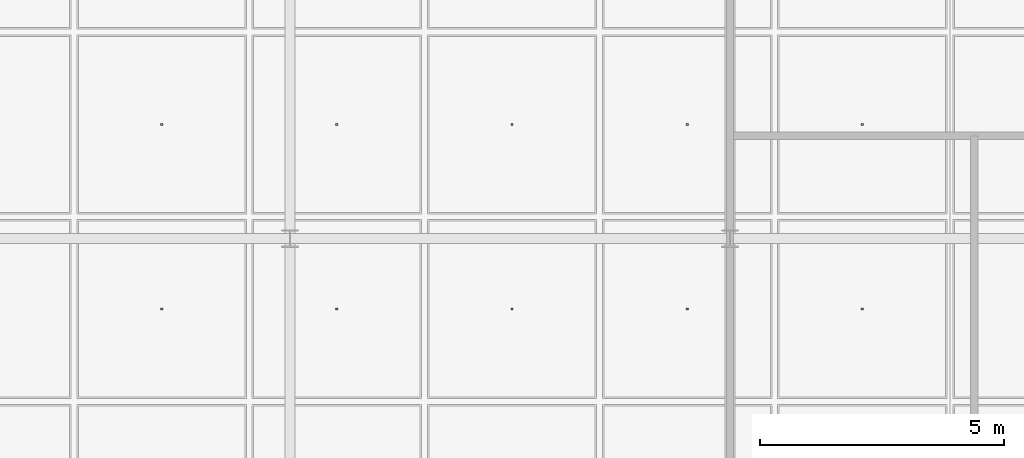
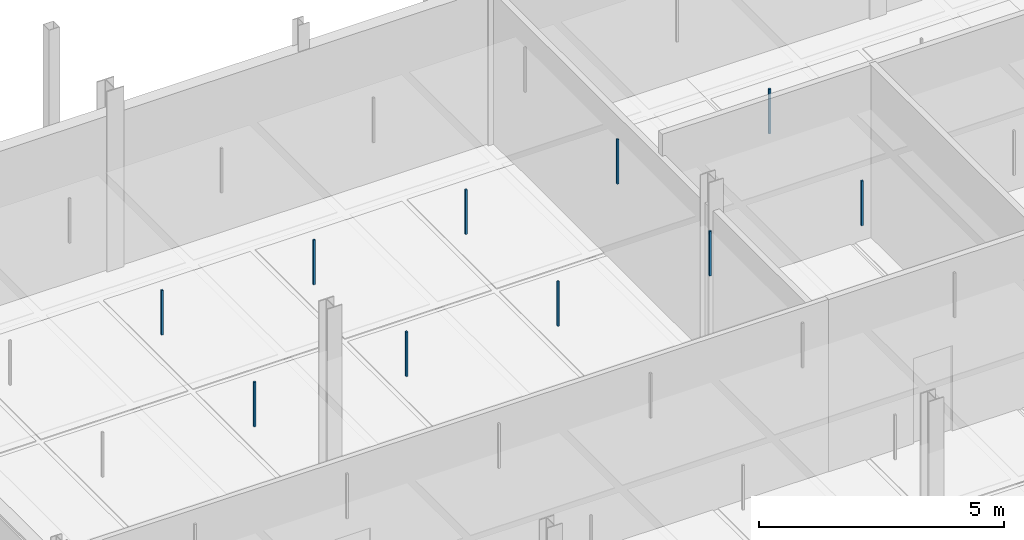
# One storey, part 86 of 130: 10 discrete accessories.
"""IFC4 building model written with IfcOpenShell, lengths in metres."""

from ifc_helpers import new_model, si_unit, direction, frame, origin, origin_2d, place, context, subcontext, project, spatial, rectangle, extrude, material, type_object, element, save


model = new_model("IFC4")

# Units and contexts
model_context = context("Model", 3, precision=1e-05, world=origin(), true_north=direction((0.0, 1.0)))
body_context = subcontext(model_context, "Body", "Model", "MODEL_VIEW")
ifc_project = project(units=[si_unit("LENGTHUNIT", "METRE"), si_unit("AREAUNIT", "SQUARE_METRE"), si_unit("VOLUMEUNIT", "CUBIC_METRE"), si_unit("PLANEANGLEUNIT", "RADIAN"), si_unit("MASSUNIT", "GRAM", prefix="KILO"), si_unit("THERMODYNAMICTEMPERATUREUNIT", "KELVIN"), si_unit("POWERUNIT", "WATT")], contexts=[model_context])

# Site, building, storey
site_placement = place(None, origin())
site = spatial("IfcSite", under=ifc_project, at=site_placement, CompositionType="ELEMENT")
building_placement = place(site_placement, origin())
building = spatial("IfcBuilding", under=site, at=building_placement, Name="Tallowbark Science Centre", CompositionType="ELEMENT")
storey_placement = place(building_placement, frame((0.0, 0.0, 5.39990234375)))
storey = spatial("IfcBuildingStorey", under=building, at=storey_placement, Name="L01", CompositionType="ELEMENT", Elevation=5.39990234375)

# Discrete accessories
ifc_material = material(Name="Galvanised Steel Grade C350L0 (350 MPa)", Category="steel")
discrete_accessory_type = type_object("IfcDiscreteAccessoryType", Name="ACC-CLG-HNG", PredefinedType="BRACKET", material=ifc_material)
for number, where, z_axis, x_axis, name in (
    (1, (64.875, 30.0556640625, 3.20947265625), (0.0, 0.0, 1.0), (1.0, 0.0, 0.0), "Ceiling Hanger Bracket L01-492"),
    (2, (64.875, 33.833251953125, 3.20947265625), (0.0, 0.0, 1.0), (1.0, 0.0, 0.0), "Ceiling Hanger Bracket L01-493"),
    (3, (68.458251953125, 30.0556640625, 3.20947265625), (0.0, 0.0, 1.0), (1.0, 0.0, 0.0), "Ceiling Hanger Bracket L01-498"),
    (4, (68.458251953125, 33.833251953125, 3.20947265625), (0.0, 0.0, 1.0), (1.0, 0.0, 0.0), "Ceiling Hanger Bracket L01-499"),
    (5, (72.041748046875, 30.0556640625, 3.20947265625), (0.0, 0.0, 1.0), (1.0, 0.0, 0.0), "Ceiling Hanger Bracket L01-504"),
    (6, (72.041748046875, 33.833251953125, 3.20947265625), (0.0, 0.0, 1.0), (1.0, 0.0, 0.0), "Ceiling Hanger Bracket L01-505"),
    (7, (75.625, 30.0556640625, 3.20947265625), (0.0, 0.0, 1.0), (1.0, 0.0, 0.0), "Ceiling Hanger Bracket L01-513"),
    (8, (75.625, 33.833251953125, 3.20947265625), (0.0, 0.0, 1.0), (1.0, 0.0, 0.0), "Ceiling Hanger Bracket L01-514"),
    (9, (79.208251953125, 30.0556640625, 3.20947265625), (0.0, 0.0, 1.0), (1.0, 0.0, 0.0), "Ceiling Hanger Bracket L01-522"),
    (10, (79.208251953125, 33.833251953125, 3.20947265625), (0.0, 0.0, 1.0), (1.0, 0.0, 0.0), "Ceiling Hanger Bracket L01-523"),
):
    element("IfcDiscreteAccessory", number, at=place(storey_placement, frame(where, z_axis=z_axis, x_axis=x_axis)), inside=storey, type_object=discrete_accessory_type, Name=name, PredefinedType="BRACKET", context=body_context, shape_type="SweptSolid", body=[
        extrude(rectangle(XDim=0.044921875, YDim=0.044921875, at=origin_2d()), origin(), (0.0, 0.0, 1.0), 1.113525390625),
    ])

save(model, "model.ifc")
